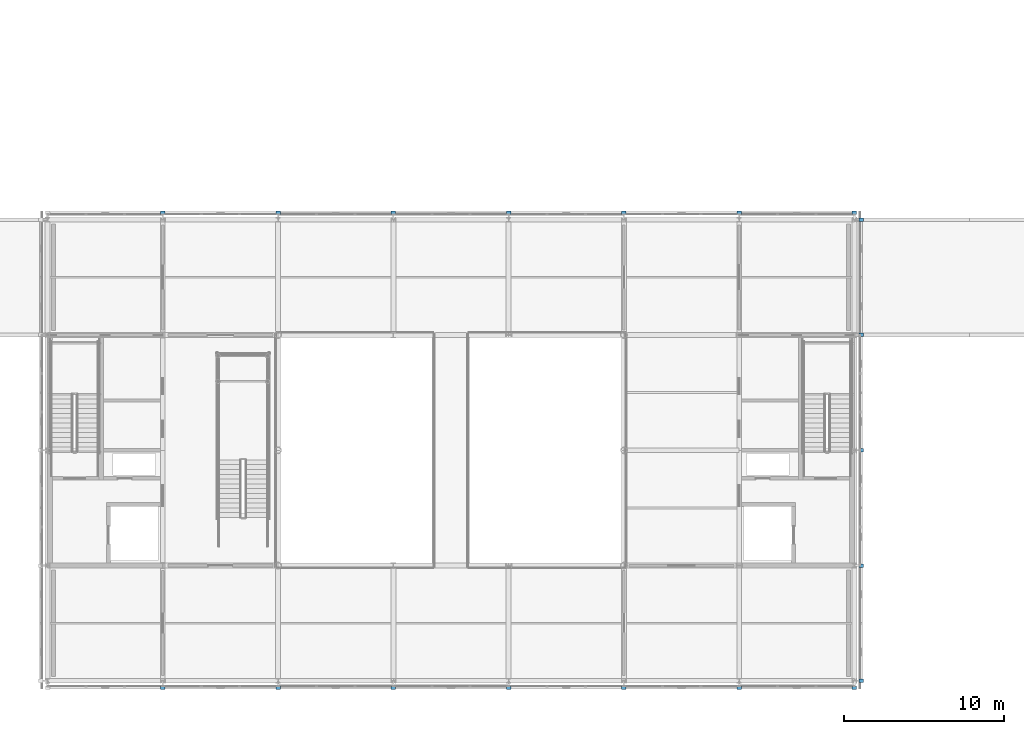
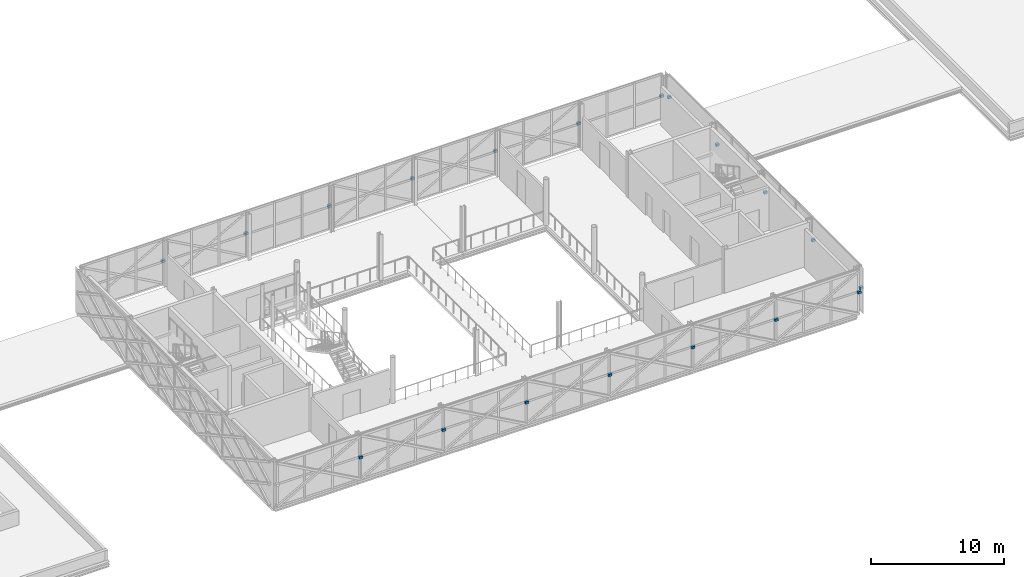
# One storey, part 93 of 103: 19 discrete accessories.
"""IFC4 building model written with IfcOpenShell, lengths in metres."""

from ifc_helpers import new_model, si_unit, direction, frame, origin, origin_2d, place, context, subcontext, project, spatial, rectangle, extrude, material, type_object, element, save


model = new_model("IFC4")

# Units and contexts
model_context = context("Model", 3, precision=1e-05, world=origin(), true_north=direction((0.0, 1.0)))
body_context = subcontext(model_context, "Body", "Model", "MODEL_VIEW")
ifc_project = project(units=[si_unit("LENGTHUNIT", "METRE"), si_unit("AREAUNIT", "SQUARE_METRE"), si_unit("VOLUMEUNIT", "CUBIC_METRE"), si_unit("PLANEANGLEUNIT", "RADIAN"), si_unit("MASSUNIT", "GRAM", prefix="KILO")], contexts=[model_context])

# Site, building, storey
site_placement = place(None, origin())
site = spatial("IfcSite", under=ifc_project, at=site_placement, CompositionType="ELEMENT")
building_placement = place(site_placement, origin())
building = spatial("IfcBuilding", under=site, at=building_placement, Name="Zlatovets Crest Museum", CompositionType="ELEMENT")
storey_placement = place(building_placement, frame((0.0, 0.0, 12.89990234375)))
storey = spatial("IfcBuildingStorey", under=building, at=storey_placement, Name="L03", CompositionType="ELEMENT", Elevation=12.89990234375)

# Discrete accessories
ifc_material = material(Name="Structural steel S355J2", Category="steel")
discrete_accessory_type = type_object("IfcDiscreteAccessoryType", Name="LatticeBracket_BK01", PredefinedType="BRACKET", material=ifc_material)
for number, where, z_axis, x_axis, name in (
    (1, (64.800048828125, -0.419921875, 1.990234375), (0.0, 0.0, 1.0), (1.0, 0.0, 0.0), "Bronze Lattice Structural Collector Bracket"),
    (2, (72.0, -0.419921875, 1.990234375), (0.0, 0.0, 1.0), (1.0, 0.0, 0.0), "Bronze Lattice Structural Collector Bracket"),
    (3, (79.199951171875, -0.419921875, 1.990234375), (0.0, 0.0, 1.0), (1.0, 0.0, 0.0), "Bronze Lattice Structural Collector Bracket"),
    (4, (86.39990234375, -0.419921875, 1.990234375), (0.0, 0.0, 1.0), (1.0, 0.0, 0.0), "Bronze Lattice Structural Collector Bracket"),
    (5, (93.60009765625, -0.419921875, 1.990234375), (0.0, 0.0, 1.0), (1.0, 0.0, 0.0), "Bronze Lattice Structural Collector Bracket"),
    (6, (100.800048828125, -0.419921875, 1.990234375), (0.0, 0.0, 1.0), (1.0, 0.0, 0.0), "Bronze Lattice Structural Collector Bracket"),
    (7, (108.0, -0.419921875, 1.990234375), (0.0, 0.0, 1.0), (1.0, 0.0, 0.0), "Bronze Lattice Structural Collector Bracket"),
    (8, (108.419921875, 0.0, 1.990234375), (0.0, 0.0, 1.0), (1.0, 0.0, 0.0), "Bronze Lattice Structural Collector Bracket"),
    (9, (108.419921875, 7.199951171875, 1.990234375), (0.0, 0.0, 1.0), (1.0, 0.0, 0.0), "Bronze Lattice Structural Collector Bracket"),
    (10, (108.419921875, 14.39990234375, 1.990234375), (0.0, 0.0, 1.0), (1.0, 0.0, 0.0), "Bronze Lattice Structural Collector Bracket"),
    (11, (108.419921875, 21.60009765625, 1.990234375), (0.0, 0.0, 1.0), (1.0, 0.0, 0.0), "Bronze Lattice Structural Collector Bracket"),
    (12, (108.419921875, 28.800048828125, 1.990234375), (0.0, 0.0, 1.0), (1.0, 0.0, 0.0), "Bronze Lattice Structural Collector Bracket"),
    (13, (108.0, 29.219970703125, 1.990234375), (0.0, 0.0, 1.0), (1.0, 0.0, 0.0), "Bronze Lattice Structural Collector Bracket"),
    (14, (100.800048828125, 29.219970703125, 1.990234375), (0.0, 0.0, 1.0), (1.0, 0.0, 0.0), "Bronze Lattice Structural Collector Bracket"),
    (15, (93.60009765625, 29.219970703125, 1.990234375), (0.0, 0.0, 1.0), (1.0, 0.0, 0.0), "Bronze Lattice Structural Collector Bracket"),
    (16, (86.39990234375, 29.219970703125, 1.990234375), (0.0, 0.0, 1.0), (1.0, 0.0, 0.0), "Bronze Lattice Structural Collector Bracket"),
    (17, (79.199951171875, 29.219970703125, 1.990234375), (0.0, 0.0, 1.0), (1.0, 0.0, 0.0), "Bronze Lattice Structural Collector Bracket"),
    (18, (72.0, 29.219970703125, 1.990234375), (0.0, 0.0, 1.0), (1.0, 0.0, 0.0), "Bronze Lattice Structural Collector Bracket"),
    (19, (64.800048828125, 29.219970703125, 1.990234375), (0.0, 0.0, 1.0), (1.0, 0.0, 0.0), "Bronze Lattice Structural Collector Bracket"),
):
    element("IfcDiscreteAccessory", number, at=place(storey_placement, frame(where, z_axis=z_axis, x_axis=x_axis)), inside=storey, type_object=discrete_accessory_type, Name=name, PredefinedType="BRACKET", context=body_context, shape_type="SweptSolid", body=[
        extrude(rectangle(XDim=0.280029296875, YDim=0.219970703125, at=origin_2d()), origin(), (0.0, 0.0, 1.0), 0.219970703125),
    ])

save(model, "model.ifc")
